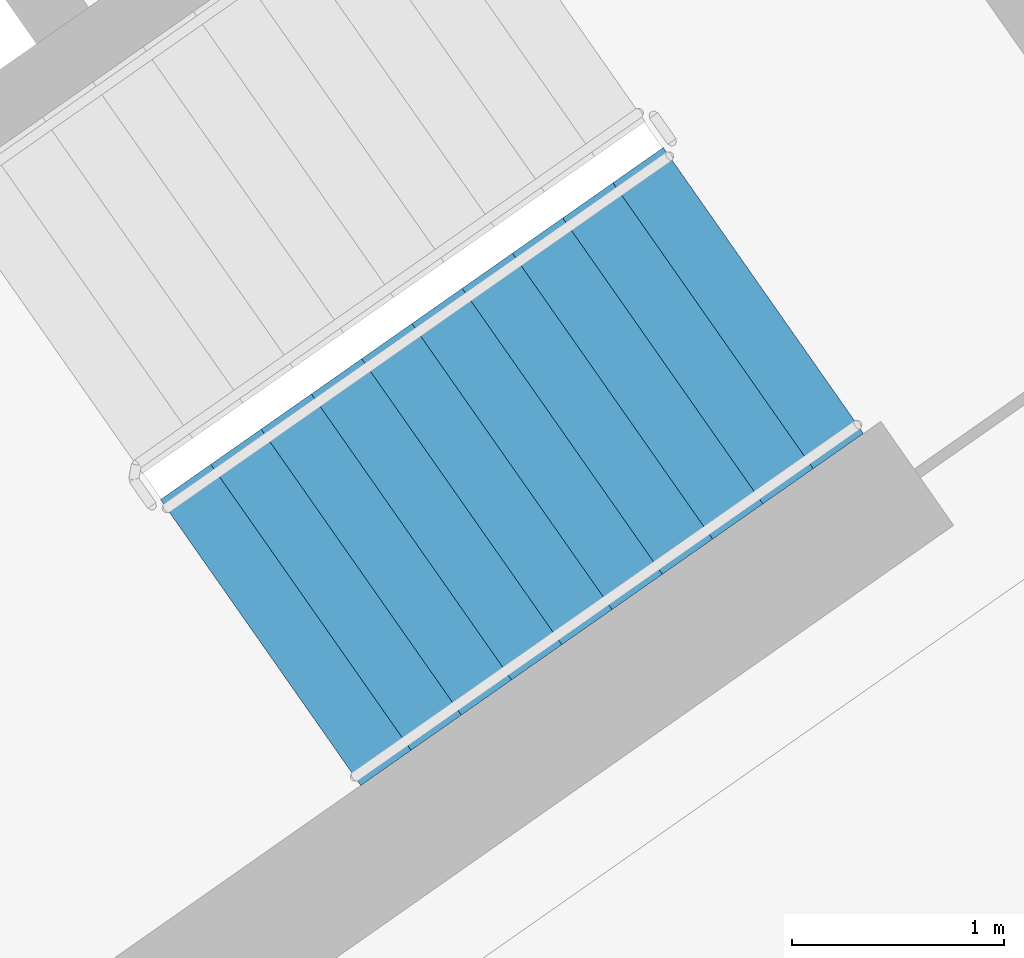
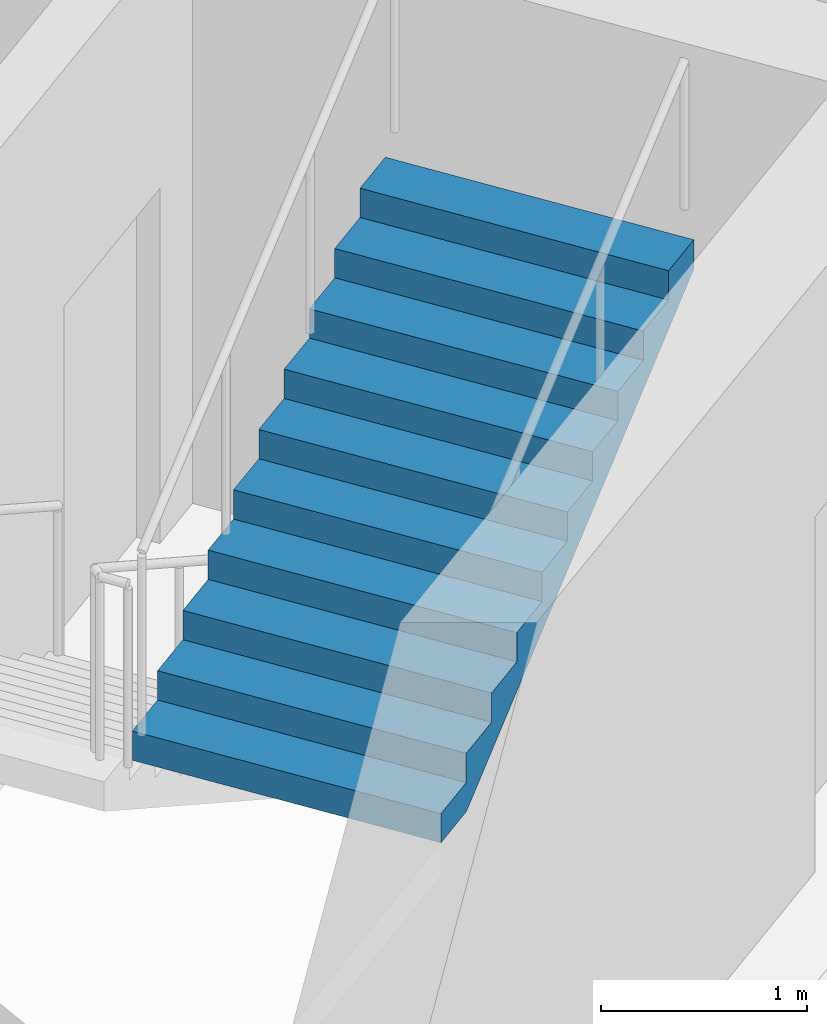
# One storey, part 14 of 27: 1 stair flight, 1 element without a shape of its own.
"""IFC4 building model written with IfcOpenShell, lengths in metres."""

from ifc_helpers import new_model, si_unit, direction, frame, origin, place, context, subcontext, project, spatial, faceted_brep, material, type_object, element, aggregate, save


model = new_model("IFC4")

# Units and contexts
model_context = context("Model", 3, precision=1e-05, world=origin(), true_north=direction((0.0, 1.0)))
body_context = subcontext(model_context, "Body", "Model", "MODEL_VIEW")
ifc_project = project(units=[si_unit("LENGTHUNIT", "METRE"), si_unit("AREAUNIT", "SQUARE_METRE"), si_unit("VOLUMEUNIT", "CUBIC_METRE"), si_unit("PLANEANGLEUNIT", "RADIAN"), si_unit("MASSUNIT", "GRAM", prefix="KILO")], contexts=[model_context])

# Site, building, storey
site_placement = place(None, origin())
site = spatial("IfcSite", under=ifc_project, at=site_placement, CompositionType="ELEMENT")
building_placement = place(site_placement, origin())
building = spatial("IfcBuilding", under=site, at=building_placement, Name="Qamariyya Broadcast Tower", CompositionType="ELEMENT")
storey_placement = place(building_placement, frame((0.0, 0.0, 164.5)))
storey = spatial("IfcBuildingStorey", under=building, at=storey_placement, Name="L38", CompositionType="ELEMENT", Elevation=164.5)

# Stair, stair flight
ifc_material = material(Name="Concrete C50/60", Category="concrete")
stair_type = type_object("IfcStairType", Name="Exit stair 22 risers of 173 mm", PredefinedType="HALF_TURN_STAIR", material=ifc_material)
stair_placement = place(storey_placement, origin())
stair = element("IfcStair", 1, at=stair_placement, inside=storey, type_object=stair_type, Name="L38 Stair E1", PredefinedType="HALF_TURN_STAIR")
stair_flight_type = type_object("IfcStairFlightType", Name="Exit stair flight 11 risers of 173 mm", PredefinedType="STRAIGHT", material=ifc_material)
stair_flight_placement = place(storey_placement, frame((44.693359375, -58.64599609375, 1.89990234375), z_axis=(0.0, 0.0, 1.0), x_axis=(0.819152044289, 0.573576436351, 0.0)))
stair_flight = element("IfcStairFlight", 2, at=stair_flight_placement, type_object=stair_flight_type, Name="ST-E1 flight 2", NumberOfRisers=11, NumberOfTreads=10, PredefinedType="STRAIGHT", RiserHeight=0.172727273, TreadLength=0.29, context=body_context, shape_type="Brep", body=[
    faceted_brep([(0.0, 0.824951171875, 0.0), (0.0, 0.824951171875, 0.172607421875), (0.2900390625, 0.824951171875, 0.172607421875), (0.2900390625, 0.824951171875, 0.345458984375), (0.580078125, 0.824951171875, 0.345458984375), (0.580078125, 0.824951171875, 0.51806640625), (0.8701171875, 0.824951171875, 0.51806640625), (0.8701171875, 0.824951171875, 0.69091796875), (1.159912109375, 0.824951171875, 0.69091796875), (1.159912109375, 0.824951171875, 0.863525390625), (1.449951171875, 0.824951171875, 0.863525390625), (1.449951171875, 0.824951171875, 1.036376953125), (1.739990234375, 0.824951171875, 1.036376953125), (1.739990234375, 0.824951171875, 1.208984375), (2.030029296875, 0.824951171875, 1.208984375), (2.030029296875, 0.824951171875, 1.3818359375), (2.320068359375, 0.824951171875, 1.3818359375), (2.320068359375, 0.824951171875, 1.554443359375), (2.610107421875, 0.824951171875, 1.554443359375), (2.610107421875, 0.824951171875, 1.727294921875), (2.89990234375, 0.824951171875, 1.727294921875), (2.89990234375, 0.824951171875, 1.552734375), (0.29296875, 0.824951171875, 0.0), (0.29296875, -0.824951171875, 0.0), (2.89990234375, -0.824951171875, 1.552734375), (2.89990234375, -0.824951171875, 1.727294921875), (2.610107421875, -0.824951171875, 1.727294921875), (2.610107421875, -0.824951171875, 1.554443359375), (2.320068359375, -0.824951171875, 1.554443359375), (2.320068359375, -0.824951171875, 1.3818359375), (2.030029296875, -0.824951171875, 1.3818359375), (2.030029296875, -0.824951171875, 1.208984375), (1.739990234375, -0.824951171875, 1.208984375), (1.739990234375, -0.824951171875, 1.036376953125), (1.449951171875, -0.824951171875, 1.036376953125), (1.449951171875, -0.824951171875, 0.863525390625), (1.159912109375, -0.824951171875, 0.863525390625), (1.159912109375, -0.824951171875, 0.69091796875), (0.8701171875, -0.824951171875, 0.69091796875), (0.8701171875, -0.824951171875, 0.51806640625), (0.580078125, -0.824951171875, 0.51806640625), (0.580078125, -0.824951171875, 0.345458984375), (0.2900390625, -0.824951171875, 0.345458984375), (0.2900390625, -0.824951171875, 0.172607421875), (0.0, -0.824951171875, 0.172607421875), (0.0, -0.824951171875, 0.0), (0.0, 0.10009765625, 0.0), (0.0, 0.086669921875, 0.0), (0.0, 0.0732421875, 0.0), (0.0, 0.06005859375, 0.0), (0.0, 0.046630859375, 0.0), (0.0, 0.033447265625, 0.0), (0.0, 0.02001953125, 0.0), (0.0, 0.006591796875, 0.0), (0.0, -0.006591796875, 0.0), (0.0, -0.02001953125, 0.0), (0.0, -0.033447265625, 0.0), (0.0, -0.046630859375, 0.0), (0.0, -0.06005859375, 0.0), (0.0, -0.0732421875, 0.0), (0.0, -0.086669921875, 0.0), (0.0, -0.10009765625, 0.0), (0.0, -0.10009765625, 0.172607421875), (0.0, -0.086669921875, 0.172607421875), (0.0, -0.0732421875, 0.172607421875), (0.0, -0.06005859375, 0.172607421875), (0.0, -0.046630859375, 0.172607421875), (0.0, -0.033447265625, 0.172607421875), (0.0, -0.02001953125, 0.172607421875), (0.0, -0.006591796875, 0.172607421875), (0.0, 0.006591796875, 0.172607421875), (0.0, 0.02001953125, 0.172607421875), (0.0, 0.033447265625, 0.172607421875), (0.0, 0.046630859375, 0.172607421875), (0.0, 0.06005859375, 0.172607421875), (0.0, 0.0732421875, 0.172607421875), (0.0, 0.086669921875, 0.172607421875), (0.0, 0.10009765625, 0.172607421875), (0.2900390625, -0.10009765625, 0.172607421875), (0.2900390625, -0.086669921875, 0.172607421875), (0.2900390625, -0.0732421875, 0.172607421875), (0.2900390625, -0.06005859375, 0.172607421875), (0.2900390625, -0.046630859375, 0.172607421875), (0.2900390625, -0.033447265625, 0.172607421875), (0.2900390625, -0.02001953125, 0.172607421875), (0.2900390625, -0.006591796875, 0.172607421875), (0.2900390625, 0.006591796875, 0.172607421875), (0.2900390625, 0.02001953125, 0.172607421875), (0.2900390625, 0.033447265625, 0.172607421875), (0.2900390625, 0.046630859375, 0.172607421875), (0.2900390625, 0.06005859375, 0.172607421875), (0.2900390625, 0.0732421875, 0.172607421875), (0.2900390625, 0.086669921875, 0.172607421875), (0.2900390625, 0.10009765625, 0.172607421875), (0.2900390625, -0.10009765625, 0.345458984375), (0.2900390625, -0.086669921875, 0.345458984375), (0.2900390625, -0.0732421875, 0.345458984375), (0.2900390625, -0.06005859375, 0.345458984375), (0.2900390625, -0.046630859375, 0.345458984375), (0.2900390625, -0.033447265625, 0.345458984375), (0.2900390625, -0.02001953125, 0.345458984375), (0.2900390625, -0.006591796875, 0.345458984375), (0.2900390625, 0.006591796875, 0.345458984375), (0.2900390625, 0.02001953125, 0.345458984375), (0.2900390625, 0.033447265625, 0.345458984375), (0.2900390625, 0.046630859375, 0.345458984375), (0.2900390625, 0.06005859375, 0.345458984375), (0.2900390625, 0.0732421875, 0.345458984375), (0.2900390625, 0.086669921875, 0.345458984375), (0.2900390625, 0.10009765625, 0.345458984375), (0.580078125, -0.10009765625, 0.345458984375), (0.580078125, -0.086669921875, 0.345458984375), (0.580078125, -0.0732421875, 0.345458984375), (0.580078125, -0.06005859375, 0.345458984375), (0.580078125, -0.046630859375, 0.345458984375), (0.580078125, -0.033447265625, 0.345458984375), (0.580078125, -0.02001953125, 0.345458984375), (0.580078125, -0.006591796875, 0.345458984375), (0.580078125, 0.006591796875, 0.345458984375), (0.580078125, 0.02001953125, 0.345458984375), (0.580078125, 0.033447265625, 0.345458984375), (0.580078125, 0.046630859375, 0.345458984375), (0.580078125, 0.06005859375, 0.345458984375), (0.580078125, 0.0732421875, 0.345458984375), (0.580078125, 0.086669921875, 0.345458984375), (0.580078125, 0.10009765625, 0.345458984375), (0.580078125, -0.10009765625, 0.51806640625), (0.580078125, -0.086669921875, 0.51806640625), (0.580078125, -0.0732421875, 0.51806640625), (0.580078125, -0.06005859375, 0.51806640625), (0.580078125, -0.046630859375, 0.51806640625), (0.580078125, -0.033447265625, 0.51806640625), (0.580078125, -0.02001953125, 0.51806640625), (0.580078125, -0.006591796875, 0.51806640625), (0.580078125, 0.006591796875, 0.51806640625), (0.580078125, 0.02001953125, 0.51806640625), (0.580078125, 0.033447265625, 0.51806640625), (0.580078125, 0.046630859375, 0.51806640625), (0.580078125, 0.06005859375, 0.51806640625), (0.580078125, 0.0732421875, 0.51806640625), (0.580078125, 0.086669921875, 0.51806640625), (0.580078125, 0.10009765625, 0.51806640625), (0.8701171875, -0.10009765625, 0.51806640625), (0.8701171875, -0.086669921875, 0.51806640625), (0.8701171875, -0.0732421875, 0.51806640625), (0.8701171875, -0.06005859375, 0.51806640625), (0.8701171875, -0.046630859375, 0.51806640625), (0.8701171875, -0.033447265625, 0.51806640625), (0.8701171875, -0.02001953125, 0.51806640625), (0.8701171875, -0.006591796875, 0.51806640625), (0.8701171875, 0.006591796875, 0.51806640625), (0.8701171875, 0.02001953125, 0.51806640625), (0.8701171875, 0.033447265625, 0.51806640625), (0.8701171875, 0.046630859375, 0.51806640625), (0.8701171875, 0.06005859375, 0.51806640625), (0.8701171875, 0.0732421875, 0.51806640625), (0.8701171875, 0.086669921875, 0.51806640625), (0.8701171875, 0.10009765625, 0.51806640625), (0.8701171875, -0.10009765625, 0.69091796875), (0.8701171875, -0.086669921875, 0.69091796875), (0.8701171875, -0.0732421875, 0.69091796875), (0.8701171875, -0.06005859375, 0.69091796875), (0.8701171875, -0.046630859375, 0.69091796875), (0.8701171875, -0.033447265625, 0.69091796875), (0.8701171875, -0.02001953125, 0.69091796875), (0.8701171875, -0.006591796875, 0.69091796875), (0.8701171875, 0.006591796875, 0.69091796875), (0.8701171875, 0.02001953125, 0.69091796875), (0.8701171875, 0.033447265625, 0.69091796875), (0.8701171875, 0.046630859375, 0.69091796875), (0.8701171875, 0.06005859375, 0.69091796875), (0.8701171875, 0.0732421875, 0.69091796875), (0.8701171875, 0.086669921875, 0.69091796875), (0.8701171875, 0.10009765625, 0.69091796875), (1.159912109375, -0.10009765625, 0.69091796875), (1.159912109375, -0.086669921875, 0.69091796875), (1.159912109375, -0.0732421875, 0.69091796875), (1.159912109375, -0.06005859375, 0.69091796875), (1.159912109375, -0.046630859375, 0.69091796875), (1.159912109375, -0.033447265625, 0.69091796875), (1.159912109375, -0.02001953125, 0.69091796875), (1.159912109375, -0.006591796875, 0.69091796875), (1.159912109375, 0.006591796875, 0.69091796875), (1.159912109375, 0.02001953125, 0.69091796875), (1.159912109375, 0.033447265625, 0.69091796875), (1.159912109375, 0.046630859375, 0.69091796875), (1.159912109375, 0.06005859375, 0.69091796875), (1.159912109375, 0.0732421875, 0.69091796875), (1.159912109375, 0.086669921875, 0.69091796875), (1.159912109375, 0.10009765625, 0.69091796875), (1.159912109375, -0.10009765625, 0.863525390625), (1.159912109375, -0.086669921875, 0.863525390625), (1.159912109375, -0.0732421875, 0.863525390625), (1.159912109375, -0.06005859375, 0.863525390625), (1.159912109375, -0.046630859375, 0.863525390625), (1.159912109375, -0.033447265625, 0.863525390625), (1.159912109375, -0.02001953125, 0.863525390625), (1.159912109375, -0.006591796875, 0.863525390625), (1.159912109375, 0.006591796875, 0.863525390625), (1.159912109375, 0.02001953125, 0.863525390625), (1.159912109375, 0.033447265625, 0.863525390625), (1.159912109375, 0.046630859375, 0.863525390625), (1.159912109375, 0.06005859375, 0.863525390625), (1.159912109375, 0.0732421875, 0.863525390625), (1.159912109375, 0.086669921875, 0.863525390625), (1.159912109375, 0.10009765625, 0.863525390625), (1.449951171875, -0.10009765625, 0.863525390625), (1.449951171875, -0.086669921875, 0.863525390625), (1.449951171875, -0.0732421875, 0.863525390625), (1.449951171875, -0.06005859375, 0.863525390625), (1.449951171875, -0.046630859375, 0.863525390625), (1.449951171875, -0.033447265625, 0.863525390625), (1.449951171875, -0.02001953125, 0.863525390625), (1.449951171875, -0.006591796875, 0.863525390625), (1.449951171875, 0.006591796875, 0.863525390625), (1.449951171875, 0.02001953125, 0.863525390625), (1.449951171875, 0.033447265625, 0.863525390625), (1.449951171875, 0.046630859375, 0.863525390625), (1.449951171875, 0.06005859375, 0.863525390625), (1.449951171875, 0.0732421875, 0.863525390625), (1.449951171875, 0.086669921875, 0.863525390625), (1.449951171875, 0.10009765625, 0.863525390625), (1.449951171875, -0.10009765625, 1.036376953125), (1.449951171875, -0.086669921875, 1.036376953125), (1.449951171875, -0.0732421875, 1.036376953125), (1.449951171875, -0.06005859375, 1.036376953125), (1.449951171875, -0.046630859375, 1.036376953125), (1.449951171875, -0.033447265625, 1.036376953125), (1.449951171875, -0.02001953125, 1.036376953125), (1.449951171875, -0.006591796875, 1.036376953125), (1.449951171875, 0.006591796875, 1.036376953125), (1.449951171875, 0.02001953125, 1.036376953125), (1.449951171875, 0.033447265625, 1.036376953125), (1.449951171875, 0.046630859375, 1.036376953125), (1.449951171875, 0.06005859375, 1.036376953125), (1.449951171875, 0.0732421875, 1.036376953125), (1.449951171875, 0.086669921875, 1.036376953125), (1.449951171875, 0.10009765625, 1.036376953125), (1.739990234375, -0.10009765625, 1.036376953125), (1.739990234375, -0.086669921875, 1.036376953125), (1.739990234375, -0.0732421875, 1.036376953125), (1.739990234375, -0.06005859375, 1.036376953125), (1.739990234375, -0.046630859375, 1.036376953125), (1.739990234375, -0.033447265625, 1.036376953125), (1.739990234375, -0.02001953125, 1.036376953125), (1.739990234375, -0.006591796875, 1.036376953125), (1.739990234375, 0.006591796875, 1.036376953125), (1.739990234375, 0.02001953125, 1.036376953125), (1.739990234375, 0.033447265625, 1.036376953125), (1.739990234375, 0.046630859375, 1.036376953125), (1.739990234375, 0.06005859375, 1.036376953125), (1.739990234375, 0.0732421875, 1.036376953125), (1.739990234375, 0.086669921875, 1.036376953125), (1.739990234375, 0.10009765625, 1.036376953125), (1.739990234375, -0.10009765625, 1.208984375), (1.739990234375, -0.086669921875, 1.208984375), (1.739990234375, -0.0732421875, 1.208984375), (1.739990234375, -0.06005859375, 1.208984375), (1.739990234375, -0.046630859375, 1.208984375), (1.739990234375, -0.033447265625, 1.208984375), (1.739990234375, -0.02001953125, 1.208984375), (1.739990234375, -0.006591796875, 1.208984375), (1.739990234375, 0.006591796875, 1.208984375), (1.739990234375, 0.02001953125, 1.208984375), (1.739990234375, 0.033447265625, 1.208984375), (1.739990234375, 0.046630859375, 1.208984375), (1.739990234375, 0.06005859375, 1.208984375), (1.739990234375, 0.0732421875, 1.208984375), (1.739990234375, 0.086669921875, 1.208984375), (1.739990234375, 0.10009765625, 1.208984375), (2.030029296875, -0.10009765625, 1.208984375), (2.030029296875, -0.086669921875, 1.208984375), (2.030029296875, -0.0732421875, 1.208984375), (2.030029296875, -0.06005859375, 1.208984375), (2.030029296875, -0.046630859375, 1.208984375), (2.030029296875, -0.033447265625, 1.208984375), (2.030029296875, -0.02001953125, 1.208984375), (2.030029296875, -0.006591796875, 1.208984375), (2.030029296875, 0.006591796875, 1.208984375), (2.030029296875, 0.02001953125, 1.208984375), (2.030029296875, 0.033447265625, 1.208984375), (2.030029296875, 0.046630859375, 1.208984375), (2.030029296875, 0.06005859375, 1.208984375), (2.030029296875, 0.0732421875, 1.208984375), (2.030029296875, 0.086669921875, 1.208984375), (2.030029296875, 0.10009765625, 1.208984375), (2.030029296875, -0.10009765625, 1.3818359375), (2.030029296875, -0.086669921875, 1.3818359375), (2.030029296875, -0.0732421875, 1.3818359375), (2.030029296875, -0.06005859375, 1.3818359375), (2.030029296875, -0.046630859375, 1.3818359375), (2.030029296875, -0.033447265625, 1.3818359375), (2.030029296875, -0.02001953125, 1.3818359375), (2.030029296875, -0.006591796875, 1.3818359375), (2.030029296875, 0.006591796875, 1.3818359375), (2.030029296875, 0.02001953125, 1.3818359375), (2.030029296875, 0.033447265625, 1.3818359375), (2.030029296875, 0.046630859375, 1.3818359375), (2.030029296875, 0.06005859375, 1.3818359375), (2.030029296875, 0.0732421875, 1.3818359375), (2.030029296875, 0.086669921875, 1.3818359375), (2.030029296875, 0.10009765625, 1.3818359375), (2.320068359375, -0.10009765625, 1.3818359375), (2.320068359375, -0.086669921875, 1.3818359375), (2.320068359375, -0.0732421875, 1.3818359375), (2.320068359375, -0.06005859375, 1.3818359375), (2.320068359375, -0.046630859375, 1.3818359375), (2.320068359375, -0.033447265625, 1.3818359375), (2.320068359375, -0.02001953125, 1.3818359375), (2.320068359375, -0.006591796875, 1.3818359375), (2.320068359375, 0.006591796875, 1.3818359375), (2.320068359375, 0.02001953125, 1.3818359375), (2.320068359375, 0.033447265625, 1.3818359375), (2.320068359375, 0.046630859375, 1.3818359375), (2.320068359375, 0.06005859375, 1.3818359375), (2.320068359375, 0.0732421875, 1.3818359375), (2.320068359375, 0.086669921875, 1.3818359375), (2.320068359375, 0.10009765625, 1.3818359375), (2.320068359375, -0.10009765625, 1.554443359375), (2.320068359375, -0.086669921875, 1.554443359375), (2.320068359375, -0.0732421875, 1.554443359375), (2.320068359375, -0.06005859375, 1.554443359375), (2.320068359375, -0.046630859375, 1.554443359375), (2.320068359375, -0.033447265625, 1.554443359375), (2.320068359375, -0.02001953125, 1.554443359375), (2.320068359375, -0.006591796875, 1.554443359375), (2.320068359375, 0.006591796875, 1.554443359375), (2.320068359375, 0.02001953125, 1.554443359375), (2.320068359375, 0.033447265625, 1.554443359375), (2.320068359375, 0.046630859375, 1.554443359375), (2.320068359375, 0.06005859375, 1.554443359375), (2.320068359375, 0.0732421875, 1.554443359375), (2.320068359375, 0.086669921875, 1.554443359375), (2.320068359375, 0.10009765625, 1.554443359375), (2.610107421875, -0.10009765625, 1.554443359375), (2.610107421875, -0.086669921875, 1.554443359375), (2.610107421875, -0.0732421875, 1.554443359375), (2.610107421875, -0.06005859375, 1.554443359375), (2.610107421875, -0.046630859375, 1.554443359375), (2.610107421875, -0.033447265625, 1.554443359375), (2.610107421875, -0.02001953125, 1.554443359375), (2.610107421875, -0.006591796875, 1.554443359375), (2.610107421875, 0.006591796875, 1.554443359375), (2.610107421875, 0.02001953125, 1.554443359375), (2.610107421875, 0.033447265625, 1.554443359375), (2.610107421875, 0.046630859375, 1.554443359375), (2.610107421875, 0.06005859375, 1.554443359375), (2.610107421875, 0.0732421875, 1.554443359375), (2.610107421875, 0.086669921875, 1.554443359375), (2.610107421875, 0.10009765625, 1.554443359375), (2.610107421875, -0.10009765625, 1.727294921875), (2.610107421875, -0.086669921875, 1.727294921875), (2.610107421875, -0.0732421875, 1.727294921875), (2.610107421875, -0.06005859375, 1.727294921875), (2.610107421875, -0.046630859375, 1.727294921875), (2.610107421875, -0.033447265625, 1.727294921875), (2.610107421875, -0.02001953125, 1.727294921875), (2.610107421875, -0.006591796875, 1.727294921875), (2.610107421875, 0.006591796875, 1.727294921875), (2.610107421875, 0.02001953125, 1.727294921875), (2.610107421875, 0.033447265625, 1.727294921875), (2.610107421875, 0.046630859375, 1.727294921875), (2.610107421875, 0.06005859375, 1.727294921875), (2.610107421875, 0.0732421875, 1.727294921875), (2.610107421875, 0.086669921875, 1.727294921875), (2.610107421875, 0.10009765625, 1.727294921875), (2.89990234375, -0.10009765625, 1.727294921875), (2.89990234375, -0.086669921875, 1.727294921875), (2.89990234375, -0.0732421875, 1.727294921875), (2.89990234375, -0.06005859375, 1.727294921875), (2.89990234375, -0.046630859375, 1.727294921875), (2.89990234375, -0.033447265625, 1.727294921875), (2.89990234375, -0.02001953125, 1.727294921875), (2.89990234375, -0.006591796875, 1.727294921875), (2.89990234375, 0.006591796875, 1.727294921875), (2.89990234375, 0.02001953125, 1.727294921875), (2.89990234375, 0.033447265625, 1.727294921875), (2.89990234375, 0.046630859375, 1.727294921875), (2.89990234375, 0.06005859375, 1.727294921875), (2.89990234375, 0.0732421875, 1.727294921875), (2.89990234375, 0.086669921875, 1.727294921875), (2.89990234375, 0.10009765625, 1.727294921875), (2.89990234375, -0.10009765625, 1.552734375), (2.89990234375, -0.086669921875, 1.552734375), (2.89990234375, -0.0732421875, 1.552734375), (2.89990234375, -0.06005859375, 1.552734375), (2.89990234375, -0.046630859375, 1.552734375), (2.89990234375, -0.033447265625, 1.552734375), (2.89990234375, -0.02001953125, 1.552734375), (2.89990234375, -0.006591796875, 1.552734375), (2.89990234375, 0.006591796875, 1.552734375), (2.89990234375, 0.02001953125, 1.552734375), (2.89990234375, 0.033447265625, 1.552734375), (2.89990234375, 0.046630859375, 1.552734375), (2.89990234375, 0.06005859375, 1.552734375), (2.89990234375, 0.0732421875, 1.552734375), (2.89990234375, 0.086669921875, 1.552734375), (2.89990234375, 0.10009765625, 1.552734375), (0.29296875, -0.10009765625, 0.0), (0.29296875, -0.086669921875, 0.0), (0.29296875, -0.0732421875, 0.0), (0.29296875, -0.06005859375, 0.0), (0.29296875, -0.046630859375, 0.0), (0.29296875, -0.033447265625, 0.0), (0.29296875, -0.02001953125, 0.0), (0.29296875, -0.006591796875, 0.0), (0.29296875, 0.006591796875, 0.0), (0.29296875, 0.02001953125, 0.0), (0.29296875, 0.033447265625, 0.0), (0.29296875, 0.046630859375, 0.0), (0.29296875, 0.06005859375, 0.0), (0.29296875, 0.0732421875, 0.0), (0.29296875, 0.086669921875, 0.0), (0.29296875, 0.10009765625, 0.0)], [[[0, 1, 2, 3, 4, 5, 6, 7, 8, 9, 10, 11, 12, 13, 14, 15, 16, 17, 18, 19, 20, 21, 22]], [[23, 24, 25, 26, 27, 28, 29, 30, 31, 32, 33, 34, 35, 36, 37, 38, 39, 40, 41, 42, 43, 44, 45]], [[0, 46, 47, 48, 49, 50, 51, 52, 53, 54, 55, 56, 57, 58, 59, 60, 61, 45, 44, 62, 63, 64, 65, 66, 67, 68, 69, 70, 71, 72, 73, 74, 75, 76, 77, 1]], [[1, 77, 76, 75, 74, 73, 72, 71, 70, 69, 68, 67, 66, 65, 64, 63, 62, 44, 43, 78, 79, 80, 81, 82, 83, 84, 85, 86, 87, 88, 89, 90, 91, 92, 93, 2]], [[2, 93, 92, 91, 90, 89, 88, 87, 86, 85, 84, 83, 82, 81, 80, 79, 78, 43, 42, 94, 95, 96, 97, 98, 99, 100, 101, 102, 103, 104, 105, 106, 107, 108, 109, 3]], [[3, 109, 108, 107, 106, 105, 104, 103, 102, 101, 100, 99, 98, 97, 96, 95, 94, 42, 41, 110, 111, 112, 113, 114, 115, 116, 117, 118, 119, 120, 121, 122, 123, 124, 125, 4]], [[4, 125, 124, 123, 122, 121, 120, 119, 118, 117, 116, 115, 114, 113, 112, 111, 110, 41, 40, 126, 127, 128, 129, 130, 131, 132, 133, 134, 135, 136, 137, 138, 139, 140, 141, 5]], [[5, 141, 140, 139, 138, 137, 136, 135, 134, 133, 132, 131, 130, 129, 128, 127, 126, 40, 39, 142, 143, 144, 145, 146, 147, 148, 149, 150, 151, 152, 153, 154, 155, 156, 157, 6]], [[6, 157, 156, 155, 154, 153, 152, 151, 150, 149, 148, 147, 146, 145, 144, 143, 142, 39, 38, 158, 159, 160, 161, 162, 163, 164, 165, 166, 167, 168, 169, 170, 171, 172, 173, 7]], [[7, 173, 172, 171, 170, 169, 168, 167, 166, 165, 164, 163, 162, 161, 160, 159, 158, 38, 37, 174, 175, 176, 177, 178, 179, 180, 181, 182, 183, 184, 185, 186, 187, 188, 189, 8]], [[8, 189, 188, 187, 186, 185, 184, 183, 182, 181, 180, 179, 178, 177, 176, 175, 174, 37, 36, 190, 191, 192, 193, 194, 195, 196, 197, 198, 199, 200, 201, 202, 203, 204, 205, 9]], [[9, 205, 204, 203, 202, 201, 200, 199, 198, 197, 196, 195, 194, 193, 192, 191, 190, 36, 35, 206, 207, 208, 209, 210, 211, 212, 213, 214, 215, 216, 217, 218, 219, 220, 221, 10]], [[10, 221, 220, 219, 218, 217, 216, 215, 214, 213, 212, 211, 210, 209, 208, 207, 206, 35, 34, 222, 223, 224, 225, 226, 227, 228, 229, 230, 231, 232, 233, 234, 235, 236, 237, 11]], [[11, 237, 236, 235, 234, 233, 232, 231, 230, 229, 228, 227, 226, 225, 224, 223, 222, 34, 33, 238, 239, 240, 241, 242, 243, 244, 245, 246, 247, 248, 249, 250, 251, 252, 253, 12]], [[12, 253, 252, 251, 250, 249, 248, 247, 246, 245, 244, 243, 242, 241, 240, 239, 238, 33, 32, 254, 255, 256, 257, 258, 259, 260, 261, 262, 263, 264, 265, 266, 267, 268, 269, 13]], [[13, 269, 268, 267, 266, 265, 264, 263, 262, 261, 260, 259, 258, 257, 256, 255, 254, 32, 31, 270, 271, 272, 273, 274, 275, 276, 277, 278, 279, 280, 281, 282, 283, 284, 285, 14]], [[14, 285, 284, 283, 282, 281, 280, 279, 278, 277, 276, 275, 274, 273, 272, 271, 270, 31, 30, 286, 287, 288, 289, 290, 291, 292, 293, 294, 295, 296, 297, 298, 299, 300, 301, 15]], [[15, 301, 300, 299, 298, 297, 296, 295, 294, 293, 292, 291, 290, 289, 288, 287, 286, 30, 29, 302, 303, 304, 305, 306, 307, 308, 309, 310, 311, 312, 313, 314, 315, 316, 317, 16]], [[16, 317, 316, 315, 314, 313, 312, 311, 310, 309, 308, 307, 306, 305, 304, 303, 302, 29, 28, 318, 319, 320, 321, 322, 323, 324, 325, 326, 327, 328, 329, 330, 331, 332, 333, 17]], [[17, 333, 332, 331, 330, 329, 328, 327, 326, 325, 324, 323, 322, 321, 320, 319, 318, 28, 27, 334, 335, 336, 337, 338, 339, 340, 341, 342, 343, 344, 345, 346, 347, 348, 349, 18]], [[18, 349, 348, 347, 346, 345, 344, 343, 342, 341, 340, 339, 338, 337, 336, 335, 334, 27, 26, 350, 351, 352, 353, 354, 355, 356, 357, 358, 359, 360, 361, 362, 363, 364, 365, 19]], [[19, 365, 364, 363, 362, 361, 360, 359, 358, 357, 356, 355, 354, 353, 352, 351, 350, 26, 25, 366, 367, 368, 369, 370, 371, 372, 373, 374, 375, 376, 377, 378, 379, 380, 381, 20]], [[20, 381, 380, 379, 378, 377, 376, 375, 374, 373, 372, 371, 370, 369, 368, 367, 366, 25, 24, 382, 383, 384, 385, 386, 387, 388, 389, 390, 391, 392, 393, 394, 395, 396, 397, 21]], [[21, 397, 396, 395, 394, 393, 392, 391, 390, 389, 388, 387, 386, 385, 384, 383, 382, 24, 23, 398, 399, 400, 401, 402, 403, 404, 405, 406, 407, 408, 409, 410, 411, 412, 413, 22]], [[22, 413, 412, 411, 410, 409, 408, 407, 406, 405, 404, 403, 402, 401, 400, 399, 398, 23, 45, 61, 60, 59, 58, 57, 56, 55, 54, 53, 52, 51, 50, 49, 48, 47, 46, 0]]]),
])
aggregate(stair, [stair_flight])

save(model, "model.ifc")
